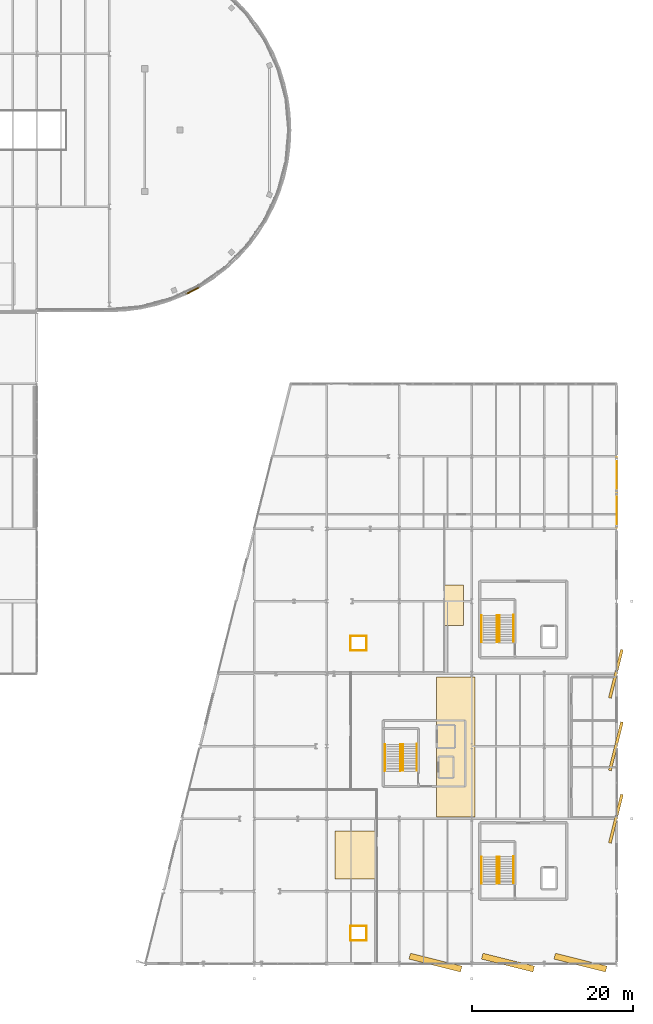
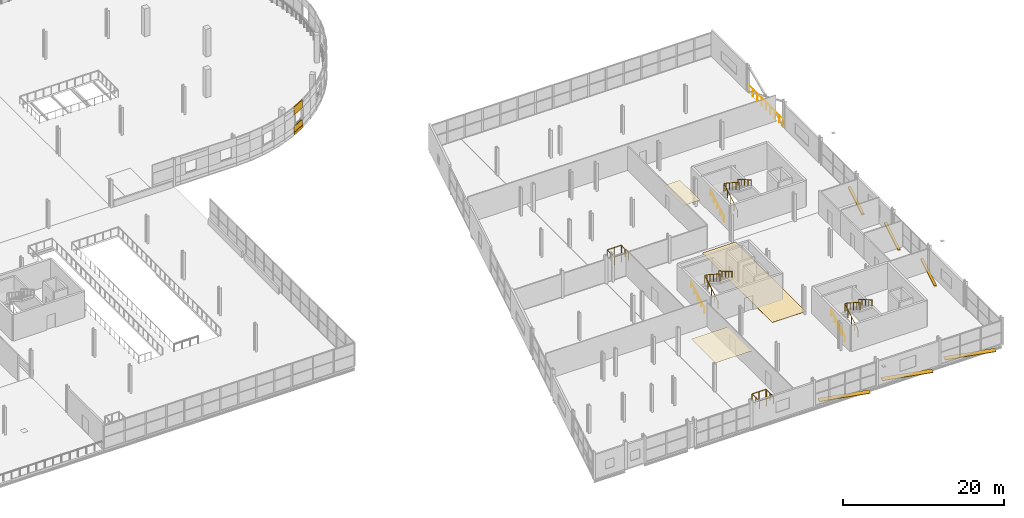
# One storey, part 85 of 88: 14 railings, 6 coverings, 6 shading devices.
"""IFC4 building model written with IfcOpenShell, lengths in metres."""

from ifc_helpers import new_model, si_unit, direction, frame, origin, origin_2d, place, context, subcontext, project, spatial, polyline, rectangle, circle, outline, extrude, material, layer, layer_set, type_object, element, save


model = new_model("IFC4")

# Units and contexts
model_context = context("Model", 3, precision=1e-05, world=origin(), true_north=direction((0.0, 1.0)))
body_context = subcontext(model_context, "Body", "Model", "MODEL_VIEW")
ifc_project = project(units=[si_unit("LENGTHUNIT", "METRE"), si_unit("AREAUNIT", "SQUARE_METRE"), si_unit("VOLUMEUNIT", "CUBIC_METRE"), si_unit("PLANEANGLEUNIT", "RADIAN"), si_unit("MASSUNIT", "GRAM", prefix="KILO")], contexts=[model_context])

# Site, building, storey
site_placement = place(None, origin())
site = spatial("IfcSite", under=ifc_project, at=site_placement, CompositionType="ELEMENT")
building_placement = place(site_placement, origin())
building = spatial("IfcBuilding", under=site, at=building_placement, Name="Deido Ridge Mobility Hub", CompositionType="ELEMENT")
storey_placement = place(building_placement, frame((0.0, 0.0, 16.800048828125)))
storey = spatial("IfcBuildingStorey", under=building, at=storey_placement, Name="L04", CompositionType="ELEMENT", Elevation=16.800048828125)

# Coverings
ifc_material_1 = material(Name="Fired clay brick masonry", Category="masonry")
ifc_layer_1 = layer(ifc_material_1, 0.114990234375, Name="Fired clay brick masonry")
ifc_layer_set_1 = layer_set([ifc_layer_1], Name="Fired clay brick masonry")
covering_type_1 = type_object("IfcCoveringType", Name="COV-BRK-SCREEN-115", PredefinedType="CLADDING", material=ifc_layer_set_1)
covering_1_placement = place(storey_placement, frame((127.355224609375, 83.607666015625, 0.0), z_axis=(0.0, 0.0, 1.0), x_axis=(0.887018892077, 0.461733131905, 0.0)))
element("IfcCovering", 1, at=covering_1_placement, inside=storey, type_object=covering_type_1, Name="Open brickwork spandrel course BKS1 (L04)", PredefinedType="CLADDING", context=body_context, shape_type="SweptSolid", body=[
    extrude(rectangle(XDim=1.9619140625, YDim=0.125, at=origin_2d()), origin(), (0.0, 0.0, 1.0), 1.25),
])
covering_2_placement = place(storey_placement, frame((127.367919921875, 83.583251953125, 0.0), z_axis=(0.0, 0.0, 1.0), x_axis=(0.887018892077, 0.461733131905, 0.0)))
element("IfcCovering", 2, at=covering_2_placement, inside=storey, type_object=covering_type_1, Name="Raised brick relief belt BKS1 (L04)", PredefinedType="CLADDING", context=body_context, shape_type="SweptSolid", body=[
    extrude(rectangle(XDim=1.9619140625, YDim=0.179931640625, at=origin_2d()), origin(), (0.0, 0.0, 1.0), 0.39990234375),
])
covering_3_placement = place(storey_placement, frame((127.355224609375, 83.607666015625, 3.0), z_axis=(0.0, 0.0, 1.0), x_axis=(0.887018892077, 0.461733131905, 0.0)))
element("IfcCovering", 3, at=covering_3_placement, inside=storey, type_object=covering_type_1, Name="Open brickwork lintel course BKS1 (L04)", PredefinedType="CLADDING", context=body_context, shape_type="SweptSolid", body=[
    extrude(rectangle(XDim=1.9619140625, YDim=0.125, at=origin_2d()), origin(), (0.0, 0.0, 1.0), 1.199951171875),
])
ifc_material_2 = material(Name="Powder-coated aluminium cladding EN AW-3003", Category="aluminium")
ifc_layer_2 = layer(ifc_material_2, 0.02001953125, Name="Powder-coated aluminium cladding EN AW-3003")
ifc_layer_set_2 = layer_set([ifc_layer_2], Name="Powder-coated aluminium cladding EN AW-3003")
covering_type_2 = type_object("IfcCoveringType", Name="COV-CEIL-ALU-20", PredefinedType="CEILING", material=ifc_layer_set_2)
covering_4_placement = place(storey_placement, frame((0.0, 0.0, 2.949951171875)))
element("IfcCovering", 4, at=covering_4_placement, inside=storey, type_object=covering_type_2, Name="Acoustic suspended ceiling CL1 (L04)", PredefinedType="CEILING", context=body_context, shape_type="SweptSolid", body=[
    extrude(outline(polyline([(145.0, 10.5), (150.199951171875, 10.5), (150.199951171875, 16.5), (145.0, 16.5), (145.0, 10.5)])), origin(), (0.0, 0.0, 1.0), 0.02001953125),
])
covering_5_placement = place(storey_placement, frame((0.0, 0.0, 2.949951171875)))
element("IfcCovering", 5, at=covering_5_placement, inside=storey, type_object=covering_type_2, Name="Corridor acoustic ceiling CL1 (L04)", PredefinedType="CEILING", context=body_context, shape_type="SweptSolid", body=[
    extrude(outline(polyline([(158.60009765625, 42.0), (161.0, 42.0), (161.0, 47.0), (158.60009765625, 47.0), (158.60009765625, 42.0)])), origin(), (0.0, 0.0, 1.0), 0.02001953125),
])
ifc_material_3 = material(Name="Epoxy terrazzo floor finish")
ifc_layer_3 = layer(ifc_material_3, 0.02001953125, Name="Epoxy terrazzo floor finish")
ifc_layer_set_3 = layer_set([ifc_layer_3], Name="Epoxy terrazzo floor finish")
covering_type_3 = type_object("IfcCoveringType", Name="COV-FLR-TER-20", PredefinedType="FLOORING", material=ifc_layer_set_3)
covering_6_placement = place(storey_placement, origin())
element("IfcCovering", 6, at=covering_6_placement, inside=storey, type_object=covering_type_3, Name="Epoxy terrazzo corridor flooring FC1 (L04)", PredefinedType="FLOORING", context=body_context, shape_type="SweptSolid", body=[
    extrude(outline(polyline([(157.60009765625, 18.199951171875), (162.39990234375, 18.199951171875), (162.39990234375, 35.60009765625), (157.60009765625, 35.60009765625), (157.60009765625, 18.199951171875)])), origin(), (0.0, 0.0, 1.0), 0.02001953125),
])

# Railings
ifc_material_4 = material(Name="Galvanised steel work", Category="steel")
railing_type_1 = type_object("IfcRailingType", Name="RL-GRD-EXT-1150", PredefinedType="GUARDRAIL", material=ifc_material_4)
railing_1_placement = place(storey_placement, frame((180.0, 54.14990234375, 0.0)))
element("IfcRailing", 7, at=railing_1_placement, inside=storey, type_object=railing_type_1, Name="Braced bay perimeter guard (L04)", PredefinedType="GUARDRAIL", context=body_context, shape_type="SweptSolid", body=[
    extrude(circle(Radius=0.02392578125, at=origin_2d()), frame((0.0, 0.0, 1.1259765625), z_axis=(0.0, 1.0, 0.0), x_axis=(-1.0, 0.0, 0.0)), (0.0, 0.0, 1.0), 8.7001953125),
    extrude(circle(Radius=0.02099609375, at=origin_2d()), origin(), (0.0, 0.0, 1.0), 1.101806640625),
    extrude(circle(Radius=0.02099609375, at=origin_2d()), frame((0.0, 1.08740234375, 0.0)), (0.0, 0.0, 1.0), 1.101806640625),
    extrude(circle(Radius=0.02099609375, at=origin_2d()), frame((0.0, 2.175048828125, 0.0)), (0.0, 0.0, 1.0), 1.101806640625),
    extrude(circle(Radius=0.02099609375, at=origin_2d()), frame((0.0, 3.2626953125, 0.0)), (0.0, 0.0, 1.0), 1.101806640625),
    extrude(circle(Radius=0.02099609375, at=origin_2d()), frame((0.0, 4.35009765625, 0.0)), (0.0, 0.0, 1.0), 1.101806640625),
    extrude(circle(Radius=0.02099609375, at=origin_2d()), frame((0.0, 5.4375, 0.0)), (0.0, 0.0, 1.0), 1.101806640625),
    extrude(circle(Radius=0.02099609375, at=origin_2d()), frame((0.0, 6.525146484375, 0.0)), (0.0, 0.0, 1.0), 1.101806640625),
    extrude(circle(Radius=0.02099609375, at=origin_2d()), frame((0.0, 7.61279296875, 0.0)), (0.0, 0.0, 1.0), 1.101806640625),
    extrude(circle(Radius=0.02099609375, at=origin_2d()), frame((0.0, 8.7001953125, 0.0)), (0.0, 0.0, 1.0), 1.101806640625),
])
railing_2_placement = place(storey_placement, frame((146.925048828125, 2.89990234375, 0.0)))
element("IfcRailing", 8, at=railing_2_placement, inside=storey, type_object=railing_type_1, Name="Service riser shaft guard (L04) A", PredefinedType="GUARDRAIL", context=body_context, shape_type="SweptSolid", body=[
    extrude(circle(Radius=0.02392578125, at=origin_2d()), frame((0.0, 0.0, 1.1259765625), z_axis=(1.0, 0.0, 0.0), x_axis=(0.0, 1.0, 0.0)), (0.0, 0.0, 1.0), 2.0),
    extrude(circle(Radius=0.02392578125, at=origin_2d()), frame((2.0, 0.0, 1.1259765625), z_axis=(0.0, 1.0, 0.0), x_axis=(-1.0, 0.0, 0.0)), (0.0, 0.0, 1.0), 1.739990234375),
    extrude(circle(Radius=0.02099609375, at=origin_2d()), origin(), (0.0, 0.0, 1.0), 1.101806640625),
    extrude(circle(Radius=0.02099609375, at=origin_2d()), frame((1.0, 0.0, 0.0)), (0.0, 0.0, 1.0), 1.101806640625),
    extrude(circle(Radius=0.02099609375, at=origin_2d()), frame((2.0, 0.0, 0.0)), (0.0, 0.0, 1.0), 1.101806640625),
    extrude(circle(Radius=0.02099609375, at=origin_2d()), frame((2.0, 0.8701171875, 0.0)), (0.0, 0.0, 1.0), 1.101806640625),
    extrude(circle(Radius=0.02099609375, at=origin_2d()), frame((2.0, 1.739990234375, 0.0)), (0.0, 0.0, 1.0), 1.101806640625),
])
railing_3_placement = place(storey_placement, frame((148.925048828125, 4.699951171875, 0.0)))
element("IfcRailing", 9, at=railing_3_placement, inside=storey, type_object=railing_type_1, Name="Service riser shaft guard (L04) B", PredefinedType="GUARDRAIL", context=body_context, shape_type="SweptSolid", body=[
    extrude(circle(Radius=0.02392578125, at=origin_2d()), frame((0.0, 0.0, 1.1259765625), z_axis=(-1.0, 0.0, 0.0), x_axis=(0.0, -1.0, 0.0)), (0.0, 0.0, 1.0), 2.0),
    extrude(circle(Radius=0.02392578125, at=origin_2d()), frame((-2.0, 0.0, 1.1259765625), z_axis=(0.0, -1.0, 0.0), x_axis=(1.0, 0.0, 0.0)), (0.0, 0.0, 1.0), 1.739990234375),
    extrude(circle(Radius=0.02099609375, at=origin_2d()), origin(), (0.0, 0.0, 1.0), 1.101806640625),
    extrude(circle(Radius=0.02099609375, at=origin_2d()), frame((-1.0, 0.0, 0.0)), (0.0, 0.0, 1.0), 1.101806640625),
    extrude(circle(Radius=0.02099609375, at=origin_2d()), frame((-2.0, 0.0, 0.0)), (0.0, 0.0, 1.0), 1.101806640625),
    extrude(circle(Radius=0.02099609375, at=origin_2d()), frame((-2.0, -0.8701171875, 0.0)), (0.0, 0.0, 1.0), 1.101806640625),
    extrude(circle(Radius=0.02099609375, at=origin_2d()), frame((-2.0, -1.739990234375, 0.0)), (0.0, 0.0, 1.0), 1.101806640625),
])
railing_4_placement = place(storey_placement, frame((146.925048828125, 38.89990234375, 0.0)))
element("IfcRailing", 10, at=railing_4_placement, inside=storey, type_object=railing_type_1, Name="Service riser shaft guard (L04) A", PredefinedType="GUARDRAIL", context=body_context, shape_type="SweptSolid", body=[
    extrude(circle(Radius=0.02392578125, at=origin_2d()), frame((0.0, 0.0, 1.1259765625), z_axis=(1.0, 0.0, 0.0), x_axis=(0.0, 1.0, 0.0)), (0.0, 0.0, 1.0), 2.0),
    extrude(circle(Radius=0.02392578125, at=origin_2d()), frame((2.0, 0.0, 1.1259765625), z_axis=(0.0, 1.0, 0.0), x_axis=(-1.0, 0.0, 0.0)), (0.0, 0.0, 1.0), 1.739990234375),
    extrude(circle(Radius=0.02099609375, at=origin_2d()), origin(), (0.0, 0.0, 1.0), 1.101806640625),
    extrude(circle(Radius=0.02099609375, at=origin_2d()), frame((1.0, 0.0, 0.0)), (0.0, 0.0, 1.0), 1.101806640625),
    extrude(circle(Radius=0.02099609375, at=origin_2d()), frame((2.0, 0.0, 0.0)), (0.0, 0.0, 1.0), 1.101806640625),
    extrude(circle(Radius=0.02099609375, at=origin_2d()), frame((2.0, 0.8701171875, 0.0)), (0.0, 0.0, 1.0), 1.101806640625),
    extrude(circle(Radius=0.02099609375, at=origin_2d()), frame((2.0, 1.739990234375, 0.0)), (0.0, 0.0, 1.0), 1.101806640625),
])
railing_5_placement = place(storey_placement, frame((148.925048828125, 40.699951171875, 0.0)))
element("IfcRailing", 11, at=railing_5_placement, inside=storey, type_object=railing_type_1, Name="Service riser shaft guard (L04) B", PredefinedType="GUARDRAIL", context=body_context, shape_type="SweptSolid", body=[
    extrude(circle(Radius=0.02392578125, at=origin_2d()), frame((0.0, 0.0, 1.1259765625), z_axis=(-1.0, 0.0, 0.0), x_axis=(0.0, -1.0, 0.0)), (0.0, 0.0, 1.0), 2.0),
    extrude(circle(Radius=0.02392578125, at=origin_2d()), frame((-2.0, 0.0, 1.1259765625), z_axis=(0.0, -1.0, 0.0), x_axis=(1.0, 0.0, 0.0)), (0.0, 0.0, 1.0), 1.739990234375),
    extrude(circle(Radius=0.02099609375, at=origin_2d()), origin(), (0.0, 0.0, 1.0), 1.101806640625),
    extrude(circle(Radius=0.02099609375, at=origin_2d()), frame((-1.0, 0.0, 0.0)), (0.0, 0.0, 1.0), 1.101806640625),
    extrude(circle(Radius=0.02099609375, at=origin_2d()), frame((-2.0, 0.0, 0.0)), (0.0, 0.0, 1.0), 1.101806640625),
    extrude(circle(Radius=0.02099609375, at=origin_2d()), frame((-2.0, -0.8701171875, 0.0)), (0.0, 0.0, 1.0), 1.101806640625),
    extrude(circle(Radius=0.02099609375, at=origin_2d()), frame((-2.0, -1.739990234375, 0.0)), (0.0, 0.0, 1.0), 1.101806640625),
])
railing_type_2 = type_object("IfcRailingType", Name="RL-STAIR-GRD-1150", PredefinedType="GUARDRAIL", material=ifc_material_4)
railing_6_placement = place(storey_placement, frame((165.14990234375, 9.949951171875, 0.175048828125)))
element("IfcRailing", 12, at=railing_6_placement, inside=storey, type_object=railing_type_2, Name="ST1 inner well guard (L04)", PredefinedType="GUARDRAIL", context=body_context, shape_type="SweptSolid", body=[
    extrude(circle(Radius=0.02392578125, at=origin_2d()), frame((0.0, 0.0, 1.1259765625), z_axis=(0.0, 0.863804395585, 0.503827317807), x_axis=(-1.0, 0.0, 0.0)), (0.0, 0.0, 1.0), 3.8203125),
    extrude(circle(Radius=0.02392578125, at=origin_2d()), frame((0.0, 3.300048828125, 3.05078125), z_axis=(1.0, 0.0, 0.0), x_axis=(0.0, 1.0, 0.0)), (0.0, 0.0, 1.0), 0.300048828125),
    extrude(circle(Radius=0.02392578125, at=origin_2d()), frame((0.300048828125, 3.300048828125, 3.05078125), z_axis=(0.0, -0.839905164138, 0.542733189748), x_axis=(1.0, 0.0, 0.0)), (0.0, 0.0, 1.0), 3.869384765625),
    extrude(circle(Radius=0.02099609375, at=origin_2d()), origin(), (0.0, 0.0, 1.0), 1.101806640625),
    extrude(circle(Radius=0.02099609375, at=origin_2d()), frame((0.0, 0.824951171875, 0.481201171875)), (0.0, 0.0, 1.0), 1.101806640625),
    extrude(circle(Radius=0.02099609375, at=origin_2d()), frame((0.0, 1.64990234375, 0.96240234375)), (0.0, 0.0, 1.0), 1.101806640625),
    extrude(circle(Radius=0.02099609375, at=origin_2d()), frame((0.0, 2.47509765625, 1.443603515625)), (0.0, 0.0, 1.0), 1.101806640625),
    extrude(circle(Radius=0.02099609375, at=origin_2d()), frame((0.0, 3.300048828125, 1.9248046875)), (0.0, 0.0, 1.0), 1.101806640625),
    extrude(circle(Radius=0.02099609375, at=origin_2d()), frame((0.300048828125, 3.300048828125, 1.9248046875)), (0.0, 0.0, 1.0), 1.101806640625),
    extrude(circle(Radius=0.02099609375, at=origin_2d()), frame((0.300048828125, 2.487548828125, 2.44970703125)), (0.0, 0.0, 1.0), 1.101806640625),
    extrude(circle(Radius=0.02099609375, at=origin_2d()), frame((0.300048828125, 1.675048828125, 2.974853515625)), (0.0, 0.0, 1.0), 1.101806640625),
    extrude(circle(Radius=0.02099609375, at=origin_2d()), frame((0.300048828125, 0.862548828125, 3.5)), (0.0, 0.0, 1.0), 1.101806640625),
    extrude(circle(Radius=0.02099609375, at=origin_2d()), frame((0.300048828125, 0.050048828125, 4.02490234375)), (0.0, 0.0, 1.0), 1.101806640625),
])
railing_7_placement = place(storey_placement, frame((165.14990234375, 39.949951171875, 0.175048828125)))
element("IfcRailing", 13, at=railing_7_placement, inside=storey, type_object=railing_type_2, Name="ST2 inner well guard (L04)", PredefinedType="GUARDRAIL", context=body_context, shape_type="SweptSolid", body=[
    extrude(circle(Radius=0.02392578125, at=origin_2d()), frame((0.0, 0.0, 1.1259765625), z_axis=(0.0, 0.863804395585, 0.503827317807), x_axis=(-1.0, 0.0, 0.0)), (0.0, 0.0, 1.0), 3.8203125),
    extrude(circle(Radius=0.02392578125, at=origin_2d()), frame((0.0, 3.300048828125, 3.05078125), z_axis=(1.0, 0.0, 0.0), x_axis=(0.0, 1.0, 0.0)), (0.0, 0.0, 1.0), 0.300048828125),
    extrude(circle(Radius=0.02392578125, at=origin_2d()), frame((0.300048828125, 3.300048828125, 3.05078125), z_axis=(0.0, -0.839905164138, 0.542733189748), x_axis=(1.0, 0.0, 0.0)), (0.0, 0.0, 1.0), 3.869384765625),
    extrude(circle(Radius=0.02099609375, at=origin_2d()), origin(), (0.0, 0.0, 1.0), 1.101806640625),
    extrude(circle(Radius=0.02099609375, at=origin_2d()), frame((0.0, 0.824951171875, 0.481201171875)), (0.0, 0.0, 1.0), 1.101806640625),
    extrude(circle(Radius=0.02099609375, at=origin_2d()), frame((0.0, 1.64990234375, 0.96240234375)), (0.0, 0.0, 1.0), 1.101806640625),
    extrude(circle(Radius=0.02099609375, at=origin_2d()), frame((0.0, 2.47509765625, 1.443603515625)), (0.0, 0.0, 1.0), 1.101806640625),
    extrude(circle(Radius=0.02099609375, at=origin_2d()), frame((0.0, 3.300048828125, 1.9248046875)), (0.0, 0.0, 1.0), 1.101806640625),
    extrude(circle(Radius=0.02099609375, at=origin_2d()), frame((0.300048828125, 3.300048828125, 1.9248046875)), (0.0, 0.0, 1.0), 1.101806640625),
    extrude(circle(Radius=0.02099609375, at=origin_2d()), frame((0.300048828125, 2.487548828125, 2.44970703125)), (0.0, 0.0, 1.0), 1.101806640625),
    extrude(circle(Radius=0.02099609375, at=origin_2d()), frame((0.300048828125, 1.675048828125, 2.974853515625)), (0.0, 0.0, 1.0), 1.101806640625),
    extrude(circle(Radius=0.02099609375, at=origin_2d()), frame((0.300048828125, 0.862548828125, 3.5)), (0.0, 0.0, 1.0), 1.101806640625),
    extrude(circle(Radius=0.02099609375, at=origin_2d()), frame((0.300048828125, 0.050048828125, 4.02490234375)), (0.0, 0.0, 1.0), 1.101806640625),
])
railing_8_placement = place(storey_placement, frame((153.14990234375, 23.949951171875, 0.175048828125)))
element("IfcRailing", 14, at=railing_8_placement, inside=storey, type_object=railing_type_2, Name="ST3 inner well guard (L04)", PredefinedType="GUARDRAIL", context=body_context, shape_type="SweptSolid", body=[
    extrude(circle(Radius=0.02392578125, at=origin_2d()), frame((0.0, 0.0, 1.1259765625), z_axis=(0.0, 0.863804395585, 0.503827317807), x_axis=(-1.0, 0.0, 0.0)), (0.0, 0.0, 1.0), 3.8203125),
    extrude(circle(Radius=0.02392578125, at=origin_2d()), frame((0.0, 3.300048828125, 3.05078125), z_axis=(1.0, 0.0, 0.0), x_axis=(0.0, 1.0, 0.0)), (0.0, 0.0, 1.0), 0.300048828125),
    extrude(circle(Radius=0.02392578125, at=origin_2d()), frame((0.300048828125, 3.300048828125, 3.05078125), z_axis=(0.0, -0.839905164138, 0.542733189748), x_axis=(1.0, 0.0, 0.0)), (0.0, 0.0, 1.0), 3.869384765625),
    extrude(circle(Radius=0.02099609375, at=origin_2d()), origin(), (0.0, 0.0, 1.0), 1.101806640625),
    extrude(circle(Radius=0.02099609375, at=origin_2d()), frame((0.0, 0.824951171875, 0.481201171875)), (0.0, 0.0, 1.0), 1.101806640625),
    extrude(circle(Radius=0.02099609375, at=origin_2d()), frame((0.0, 1.64990234375, 0.96240234375)), (0.0, 0.0, 1.0), 1.101806640625),
    extrude(circle(Radius=0.02099609375, at=origin_2d()), frame((0.0, 2.47509765625, 1.443603515625)), (0.0, 0.0, 1.0), 1.101806640625),
    extrude(circle(Radius=0.02099609375, at=origin_2d()), frame((0.0, 3.300048828125, 1.9248046875)), (0.0, 0.0, 1.0), 1.101806640625),
    extrude(circle(Radius=0.02099609375, at=origin_2d()), frame((0.300048828125, 3.300048828125, 1.9248046875)), (0.0, 0.0, 1.0), 1.101806640625),
    extrude(circle(Radius=0.02099609375, at=origin_2d()), frame((0.300048828125, 2.487548828125, 2.44970703125)), (0.0, 0.0, 1.0), 1.101806640625),
    extrude(circle(Radius=0.02099609375, at=origin_2d()), frame((0.300048828125, 1.675048828125, 2.974853515625)), (0.0, 0.0, 1.0), 1.101806640625),
    extrude(circle(Radius=0.02099609375, at=origin_2d()), frame((0.300048828125, 0.862548828125, 3.5)), (0.0, 0.0, 1.0), 1.101806640625),
    extrude(circle(Radius=0.02099609375, at=origin_2d()), frame((0.300048828125, 0.050048828125, 4.02490234375)), (0.0, 0.0, 1.0), 1.101806640625),
])
ifc_material_5 = material(Name="Stainless steel 316", Category="steel")
railing_type_3 = type_object("IfcRailingType", Name="RL-STAIR-HND-900", PredefinedType="HANDRAIL", material=ifc_material_5)
railing_9_placement = place(storey_placement, frame((163.222412109375, 9.949951171875, 0.175048828125)))
element("IfcRailing", 15, at=railing_9_placement, inside=storey, type_object=railing_type_3, Name="ST1 flight 1 handrail (L04)", PredefinedType="HANDRAIL", context=body_context, shape_type="SweptSolid", body=[
    extrude(circle(Radius=0.02392578125, at=origin_2d()), frame((0.0, 0.0, 0.8759765625), z_axis=(0.0, 0.863804395585, 0.503827317807), x_axis=(-1.0, 0.0, 0.0)), (0.0, 0.0, 1.0), 3.8203125),
    extrude(circle(Radius=0.02099609375, at=origin_2d()), origin(), (0.0, 0.0, 1.0), 0.851806640625),
    extrude(circle(Radius=0.02099609375, at=origin_2d()), frame((0.0, 0.824951171875, 0.481201171875)), (0.0, 0.0, 1.0), 0.851806640625),
    extrude(circle(Radius=0.02099609375, at=origin_2d()), frame((0.0, 1.64990234375, 0.96240234375)), (0.0, 0.0, 1.0), 0.851806640625),
    extrude(circle(Radius=0.02099609375, at=origin_2d()), frame((0.0, 2.47509765625, 1.443603515625)), (0.0, 0.0, 1.0), 0.851806640625),
    extrude(circle(Radius=0.02099609375, at=origin_2d()), frame((0.0, 3.300048828125, 1.9248046875)), (0.0, 0.0, 1.0), 0.851806640625),
])
railing_10_placement = place(storey_placement, frame((167.175048828125, 13.300048828125, 2.27490234375)))
element("IfcRailing", 16, at=railing_10_placement, inside=storey, type_object=railing_type_3, Name="ST1 flight 2 handrail (L04)", PredefinedType="HANDRAIL", context=body_context, shape_type="SweptSolid", body=[
    extrude(circle(Radius=0.02392578125, at=origin_2d()), frame((0.0, 0.0, 0.8759765625), z_axis=(0.0, -0.863776583165, 0.503874998761), x_axis=(1.0, 0.0, 0.0)), (0.0, 0.0, 1.0), 3.820556640625),
    extrude(circle(Radius=0.02099609375, at=origin_2d()), origin(), (0.0, 0.0, 1.0), 0.851806640625),
    extrude(circle(Radius=0.02099609375, at=origin_2d()), frame((0.0, -0.824951171875, 0.481201171875)), (0.0, 0.0, 1.0), 0.851806640625),
    extrude(circle(Radius=0.02099609375, at=origin_2d()), frame((0.0, -1.64990234375, 0.96240234375)), (0.0, 0.0, 1.0), 0.851806640625),
    extrude(circle(Radius=0.02099609375, at=origin_2d()), frame((0.0, -2.47509765625, 1.44384765625)), (0.0, 0.0, 1.0), 0.851806640625),
    extrude(circle(Radius=0.02099609375, at=origin_2d()), frame((0.0, -3.300048828125, 1.925048828125)), (0.0, 0.0, 1.0), 0.851806640625),
])
railing_11_placement = place(storey_placement, frame((163.222412109375, 39.949951171875, 0.175048828125)))
element("IfcRailing", 17, at=railing_11_placement, inside=storey, type_object=railing_type_3, Name="ST2 flight 1 handrail (L04)", PredefinedType="HANDRAIL", context=body_context, shape_type="SweptSolid", body=[
    extrude(circle(Radius=0.02392578125, at=origin_2d()), frame((0.0, 0.0, 0.8759765625), z_axis=(0.0, 0.863804395585, 0.503827317807), x_axis=(-1.0, 0.0, 0.0)), (0.0, 0.0, 1.0), 3.8203125),
    extrude(circle(Radius=0.02099609375, at=origin_2d()), origin(), (0.0, 0.0, 1.0), 0.851806640625),
    extrude(circle(Radius=0.02099609375, at=origin_2d()), frame((0.0, 0.824951171875, 0.481201171875)), (0.0, 0.0, 1.0), 0.851806640625),
    extrude(circle(Radius=0.02099609375, at=origin_2d()), frame((0.0, 1.64990234375, 0.96240234375)), (0.0, 0.0, 1.0), 0.851806640625),
    extrude(circle(Radius=0.02099609375, at=origin_2d()), frame((0.0, 2.47509765625, 1.443603515625)), (0.0, 0.0, 1.0), 0.851806640625),
    extrude(circle(Radius=0.02099609375, at=origin_2d()), frame((0.0, 3.300048828125, 1.9248046875)), (0.0, 0.0, 1.0), 0.851806640625),
])
railing_12_placement = place(storey_placement, frame((167.175048828125, 43.300048828125, 2.27490234375)))
element("IfcRailing", 18, at=railing_12_placement, inside=storey, type_object=railing_type_3, Name="ST2 flight 2 handrail (L04)", PredefinedType="HANDRAIL", context=body_context, shape_type="SweptSolid", body=[
    extrude(circle(Radius=0.02392578125, at=origin_2d()), frame((0.0, 0.0, 0.8759765625), z_axis=(0.0, -0.863776583165, 0.503874998761), x_axis=(1.0, 0.0, 0.0)), (0.0, 0.0, 1.0), 3.820556640625),
    extrude(circle(Radius=0.02099609375, at=origin_2d()), origin(), (0.0, 0.0, 1.0), 0.851806640625),
    extrude(circle(Radius=0.02099609375, at=origin_2d()), frame((0.0, -0.824951171875, 0.481201171875)), (0.0, 0.0, 1.0), 0.851806640625),
    extrude(circle(Radius=0.02099609375, at=origin_2d()), frame((0.0, -1.64990234375, 0.96240234375)), (0.0, 0.0, 1.0), 0.851806640625),
    extrude(circle(Radius=0.02099609375, at=origin_2d()), frame((0.0, -2.47509765625, 1.44384765625)), (0.0, 0.0, 1.0), 0.851806640625),
    extrude(circle(Radius=0.02099609375, at=origin_2d()), frame((0.0, -3.300048828125, 1.925048828125)), (0.0, 0.0, 1.0), 0.851806640625),
])
railing_13_placement = place(storey_placement, frame((151.2099609375, 23.949951171875, 0.175048828125)))
element("IfcRailing", 19, at=railing_13_placement, inside=storey, type_object=railing_type_3, Name="ST3 flight 1 handrail (L04)", PredefinedType="HANDRAIL", context=body_context, shape_type="SweptSolid", body=[
    extrude(circle(Radius=0.02392578125, at=origin_2d()), frame((0.0, 0.0, 0.8759765625), z_axis=(0.0, 0.863804395585, 0.503827317807), x_axis=(-1.0, 0.0, 0.0)), (0.0, 0.0, 1.0), 3.8203125),
    extrude(circle(Radius=0.02099609375, at=origin_2d()), origin(), (0.0, 0.0, 1.0), 0.851806640625),
    extrude(circle(Radius=0.02099609375, at=origin_2d()), frame((0.0, 0.824951171875, 0.481201171875)), (0.0, 0.0, 1.0), 0.851806640625),
    extrude(circle(Radius=0.02099609375, at=origin_2d()), frame((0.0, 1.64990234375, 0.96240234375)), (0.0, 0.0, 1.0), 0.851806640625),
    extrude(circle(Radius=0.02099609375, at=origin_2d()), frame((0.0, 2.47509765625, 1.443603515625)), (0.0, 0.0, 1.0), 0.851806640625),
    extrude(circle(Radius=0.02099609375, at=origin_2d()), frame((0.0, 3.300048828125, 1.9248046875)), (0.0, 0.0, 1.0), 0.851806640625),
])
railing_14_placement = place(storey_placement, frame((155.175048828125, 27.300048828125, 2.27490234375)))
element("IfcRailing", 20, at=railing_14_placement, inside=storey, type_object=railing_type_3, Name="ST3 flight 2 handrail (L04)", PredefinedType="HANDRAIL", context=body_context, shape_type="SweptSolid", body=[
    extrude(circle(Radius=0.02392578125, at=origin_2d()), frame((0.0, 0.0, 0.8759765625), z_axis=(0.0, -0.863776583165, 0.503874998761), x_axis=(1.0, 0.0, 0.0)), (0.0, 0.0, 1.0), 3.820556640625),
    extrude(circle(Radius=0.02099609375, at=origin_2d()), origin(), (0.0, 0.0, 1.0), 0.851806640625),
    extrude(circle(Radius=0.02099609375, at=origin_2d()), frame((0.0, -0.824951171875, 0.481201171875)), (0.0, 0.0, 1.0), 0.851806640625),
    extrude(circle(Radius=0.02099609375, at=origin_2d()), frame((0.0, -1.64990234375, 0.96240234375)), (0.0, 0.0, 1.0), 0.851806640625),
    extrude(circle(Radius=0.02099609375, at=origin_2d()), frame((0.0, -2.47509765625, 1.44384765625)), (0.0, 0.0, 1.0), 0.851806640625),
    extrude(circle(Radius=0.02099609375, at=origin_2d()), frame((0.0, -3.300048828125, 1.925048828125)), (0.0, 0.0, 1.0), 0.851806640625),
])

# Shading devices
ifc_material_6 = material(Name="Anodised aluminium EN AW-6063 T6", Category="aluminium")
ifc_layer_4 = layer(ifc_material_6, 0.219970703125, Name="Anodised aluminium EN AW-6063 T6")
ifc_layer_set_4 = layer_set([ifc_layer_4], Name="Anodised aluminium EN AW-6063 T6")
shading_device_type_1 = type_object("IfcShadingDeviceType", Name="SHD-JALOUSIE-350", PredefinedType="JALOUSIE", material=ifc_layer_set_4)
for number, where, z_axis, x_axis, name in (
    (21, (179.89990234375, 36.0, -0.2099609375), (0.0, 0.0, 1.0), (0.2419218956, 0.970295726276, 0.0), "Angled solar jalousie screen SD1"),
    (22, (179.89990234375, 27.0, -0.2099609375), (0.0, 0.0, 1.0), (0.2419218956, 0.970295726276, 0.0), "Angled solar jalousie screen SD1"),
    (23, (179.89990234375, 18.0, -0.2099609375), (0.0, 0.0, 1.0), (0.2419218956, 0.970295726276, 0.0), "Angled solar jalousie screen SD1"),
):
    element("IfcShadingDevice", number, at=place(storey_placement, frame(where, z_axis=z_axis, x_axis=x_axis)), inside=storey, type_object=shading_device_type_1, Name=name, PredefinedType="JALOUSIE", context=body_context, shape_type="SweptSolid", body=[
        extrude(rectangle(XDim=6.199951171875, YDim=0.35009765625, at=origin_2d()), origin(), (0.0, 0.0, 1.0), 0.219970703125),
    ])
ifc_layer_5 = layer(ifc_material_2, 0.06005859375, Name="Powder-coated aluminium cladding EN AW-3003")
ifc_layer_set_5 = layer_set([ifc_layer_5], Name="Powder-coated aluminium cladding EN AW-3003")
shading_device_type_2 = type_object("IfcShadingDeviceType", Name="SHD-SUNSHADE-750", PredefinedType="USERDEFINED", material=ifc_layer_set_5)
for number, where, z_axis, x_axis, name in (
    (24, (157.5, 0.139892578125, -0.130126953125), (0.0, 0.0, 1.0), (0.970295726276, -0.2419218956, 0.0), "Angled monsoon street sunshade SD2"),
    (25, (166.5, 0.139892578125, -0.130126953125), (0.0, 0.0, 1.0), (0.970295726276, -0.2419218956, 0.0), "Angled monsoon street sunshade SD2"),
    (26, (175.5, 0.139892578125, -0.130126953125), (0.0, 0.0, 1.0), (0.970295726276, -0.2419218956, 0.0), "Angled monsoon street sunshade SD2"),
):
    element("IfcShadingDevice", number, at=place(storey_placement, frame(where, z_axis=z_axis, x_axis=x_axis)), inside=storey, type_object=shading_device_type_2, Name=name, ObjectType="SUNSHADE", PredefinedType="USERDEFINED", context=body_context, shape_type="SweptSolid", body=[
        extrude(rectangle(XDim=6.60009765625, YDim=0.75, at=origin_2d()), origin(), (0.0, 0.0, 1.0), 0.06005859375),
    ])

save(model, "model.ifc")
